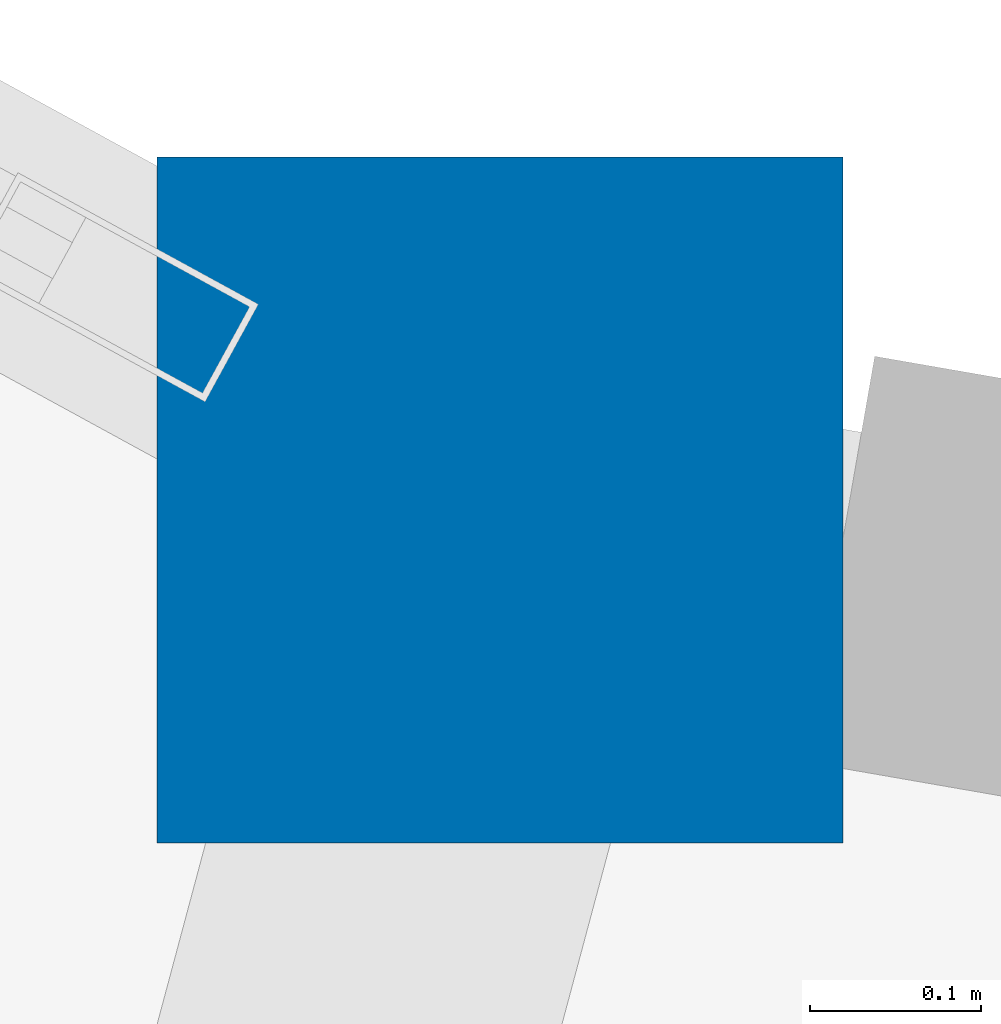
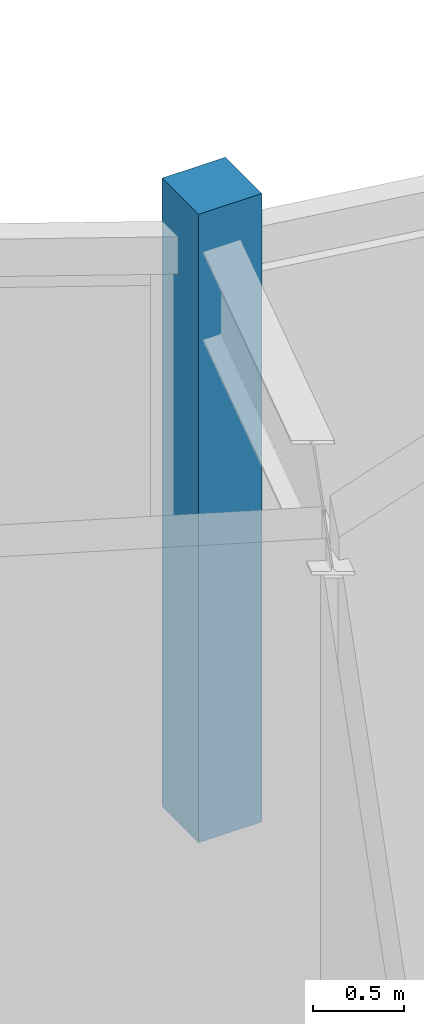
# One storey, part 3 of 134: 1 column.
"""IFC4 building model written with IfcOpenShell, lengths in metres."""

from ifc_helpers import new_model, si_unit, direction, frame, origin, origin_2d, place, context, subcontext, project, spatial, rectangle, extrude, material, material_profile, profile_set, type_object, element, save


model = new_model("IFC4")

# Units and contexts
model_context = context("Model", 3, precision=1e-05, world=origin(), true_north=direction((0.0, 1.0)))
body_context = subcontext(model_context, "Body", "Model", "MODEL_VIEW")
ifc_project = project(units=[si_unit("LENGTHUNIT", "METRE"), si_unit("AREAUNIT", "SQUARE_METRE"), si_unit("VOLUMEUNIT", "CUBIC_METRE"), si_unit("PLANEANGLEUNIT", "RADIAN"), si_unit("MASSUNIT", "GRAM", prefix="KILO")], contexts=[model_context])

# Site, building, storey
site_placement = place(None, origin())
site = spatial("IfcSite", under=ifc_project, at=site_placement, CompositionType="ELEMENT")
building_placement = place(site_placement, origin())
building = spatial("IfcBuilding", under=site, at=building_placement, Name="Karori Crest Natural Sciences Institute", CompositionType="ELEMENT")
storey_placement = place(building_placement, frame((0.0, 0.0, 21.699951171875)))
storey = spatial("IfcBuildingStorey", under=building, at=storey_placement, Name="L05", CompositionType="ELEMENT", Elevation=21.699951171875)

# Column
ifc_material = material(Name="Concrete 50 MPa", Category="concrete")
ifc_material_profile = material_profile(ifc_material, rectangle(XDim=0.39990234375, YDim=0.39990234375, at=origin_2d()), Name="RC400x400")
ifc_profile_set = profile_set([ifc_material_profile], Name="Concrete 50 MPa")
column_type = type_object("IfcColumnType", Name="CT-31", PredefinedType="PILASTER", material=ifc_profile_set)
column_placement = place(storey_placement, frame((60.084716796875, 18.797119140625, 0.0), z_axis=(0.0, 0.0, 1.0), x_axis=(1.0, 0.0, 0.0)))
element("IfcColumn", 1, at=column_placement, inside=storey, type_object=column_type, Name="Column C-0294", PredefinedType="PILASTER", context=body_context, shape_type="SweptSolid", body=[
    extrude(rectangle(XDim=0.39990234375, YDim=0.39990234375, at=origin_2d()), origin(), (0.0, 0.0, 1.0), 4.199951171875),
])

save(model, "model.ifc")
